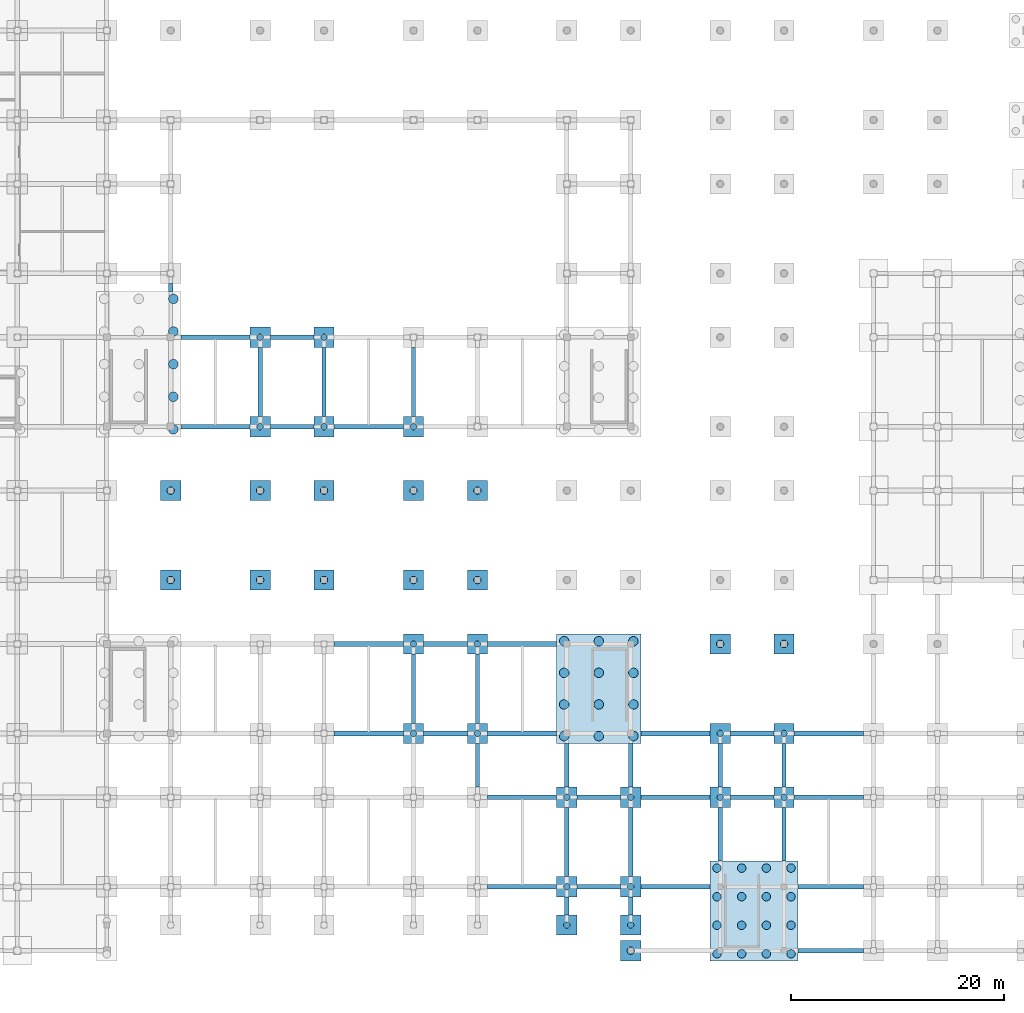
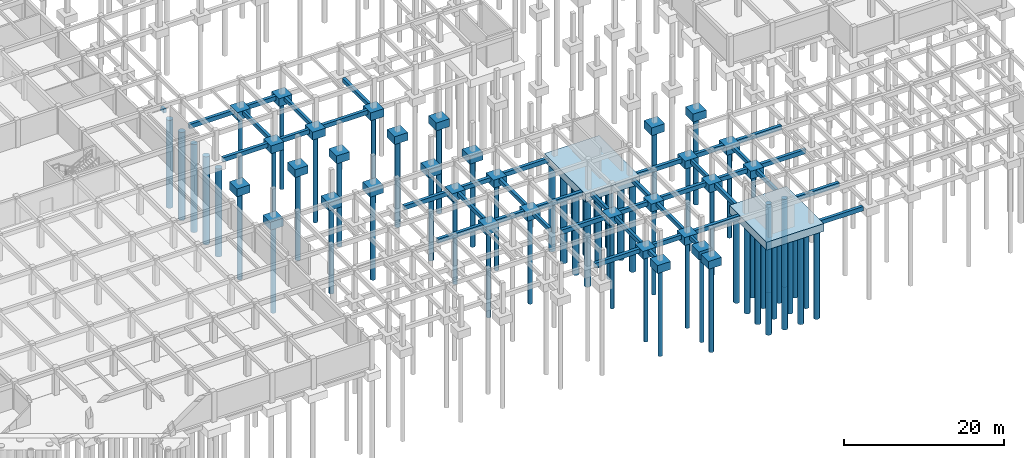
# One storey, part 5 of 40: 75 footings, 65 piles.
"""IFC4 building model written with IfcOpenShell, lengths in metres."""

from ifc_helpers import new_model, si_unit, direction, frame, origin, origin_2d, place, context, subcontext, project, spatial, rectangle, circle, extrude, material, material_profile, profile_set, type_object, element, save


model = new_model("IFC4")

# Units and contexts
model_context = context("Model", 3, precision=1e-05, world=origin(), true_north=direction((0.0, 1.0)))
body_context = subcontext(model_context, "Body", "Model", "MODEL_VIEW")
ifc_project = project(units=[si_unit("LENGTHUNIT", "METRE"), si_unit("AREAUNIT", "SQUARE_METRE"), si_unit("VOLUMEUNIT", "CUBIC_METRE"), si_unit("PLANEANGLEUNIT", "RADIAN"), si_unit("MASSUNIT", "GRAM", prefix="KILO"), si_unit("THERMODYNAMICTEMPERATUREUNIT", "KELVIN")], contexts=[model_context])

# Site, building, storey
site_placement = place(None, origin())
site = spatial("IfcSite", under=ifc_project, at=site_placement, CompositionType="ELEMENT")
building_placement = place(site_placement, origin())
building = spatial("IfcBuilding", under=site, at=building_placement, Name="Thalorik Housing Commons", CompositionType="ELEMENT")
storey_placement = place(building_placement, frame((0.0, 0.0, -4.199951171875)))
storey = spatial("IfcBuildingStorey", under=building, at=storey_placement, Name="B1", CompositionType="ELEMENT", Elevation=-4.199951171875)

# Footings
ifc_material = material(Name="Concrete C40/50", Category="concrete")
footing_type_1 = type_object("IfcFootingType", Name="STR-CAP-1900x1900", PredefinedType="PILE_CAP", material=ifc_material)
for number, where, z_axis, x_axis, name in (
    (1, (109.199951171875, 10.800048828125, -1.64990234375), (0.0, 0.0, 1.0), (1.0, 0.0, 0.0), "B1 Pile Cap 19"),
    (2, (115.199951171875, 10.800048828125, -1.64990234375), (0.0, 0.0, 1.0), (1.0, 0.0, 0.0), "B1 Pile Cap 20"),
    (3, (109.199951171875, 14.39990234375, -1.64990234375), (0.0, 0.0, 1.0), (1.0, 0.0, 0.0), "B1 Pile Cap 32"),
    (4, (115.199951171875, 14.39990234375, -1.64990234375), (0.0, 0.0, 1.0), (1.0, 0.0, 0.0), "B1 Pile Cap 33"),
    (5, (109.199951171875, 22.800048828125, -1.64990234375), (0.0, 0.0, 1.0), (1.0, 0.0, 0.0), "B1 Pile Cap 49"),
    (6, (115.199951171875, 22.800048828125, -1.64990234375), (0.0, 0.0, 1.0), (1.0, 0.0, 0.0), "B1 Pile Cap 50"),
    (7, (123.60009765625, 22.800048828125, -1.64990234375), (0.0, 0.0, 1.0), (1.0, 0.0, 0.0), "B1 Pile Cap 51"),
    (8, (129.60009765625, 22.800048828125, -1.64990234375), (0.0, 0.0, 1.0), (1.0, 0.0, 0.0), "B1 Pile Cap 52"),
    (9, (94.800048828125, 28.800048828125, -1.64990234375), (0.0, 0.0, 1.0), (1.0, 0.0, 0.0), "B1 Pile Cap 69"),
    (10, (100.800048828125, 28.800048828125, -1.64990234375), (0.0, 0.0, 1.0), (1.0, 0.0, 0.0), "B1 Pile Cap 70"),
    (11, (123.60009765625, 28.800048828125, -1.64990234375), (0.0, 0.0, 1.0), (1.0, 0.0, 0.0), "B1 Pile Cap 72"),
    (12, (129.60009765625, 28.800048828125, -1.64990234375), (0.0, 0.0, 1.0), (1.0, 0.0, 0.0), "B1 Pile Cap 73"),
    (13, (94.800048828125, 37.199951171875, -1.64990234375), (0.0, 0.0, 1.0), (1.0, 0.0, 0.0), "B1 Pile Cap 93"),
    (14, (100.800048828125, 37.199951171875, -1.64990234375), (0.0, 0.0, 1.0), (1.0, 0.0, 0.0), "B1 Pile Cap 94"),
    (15, (80.39990234375, 57.60009765625, -1.64990234375), (0.0, 0.0, 1.0), (1.0, 0.0, 0.0), "B1 Pile Cap 136"),
    (16, (86.39990234375, 57.60009765625, -1.64990234375), (0.0, 0.0, 1.0), (1.0, 0.0, 0.0), "B1 Pile Cap 137"),
    (17, (94.800048828125, 57.60009765625, -1.64990234375), (0.0, 0.0, 1.0), (1.0, 0.0, 0.0), "B1 Pile Cap 138"),
    (18, (80.39990234375, 66.0, -1.64990234375), (0.0, 0.0, 1.0), (1.0, 0.0, 0.0), "B1 Pile Cap 153"),
    (19, (86.39990234375, 66.0, -1.64990234375), (0.0, 0.0, 1.0), (1.0, 0.0, 0.0), "B1 Pile Cap 154"),
    (20, (72.0, 43.199951171875, -1.64990234375), (0.0, 0.0, 1.0), (1.0, 0.0, 0.0), "B1 Plaza Pile Cap 1"),
    (21, (72.0, 51.60009765625, -1.64990234375), (0.0, 0.0, 1.0), (1.0, 0.0, 0.0), "B1 Plaza Pile Cap 2"),
    (22, (80.39990234375, 43.199951171875, -1.64990234375), (0.0, 0.0, 1.0), (1.0, 0.0, 0.0), "B1 Plaza Pile Cap 8"),
    (23, (80.39990234375, 51.60009765625, -1.64990234375), (0.0, 0.0, 1.0), (1.0, 0.0, 0.0), "B1 Plaza Pile Cap 9"),
    (24, (86.39990234375, 43.199951171875, -1.64990234375), (0.0, 0.0, 1.0), (1.0, 0.0, 0.0), "B1 Plaza Pile Cap 12"),
    (25, (86.39990234375, 51.60009765625, -1.64990234375), (0.0, 0.0, 1.0), (1.0, 0.0, 0.0), "B1 Plaza Pile Cap 13"),
    (26, (94.800048828125, 43.199951171875, -1.64990234375), (0.0, 0.0, 1.0), (1.0, 0.0, 0.0), "B1 Plaza Pile Cap 16"),
    (27, (94.800048828125, 51.60009765625, -1.64990234375), (0.0, 0.0, 1.0), (1.0, 0.0, 0.0), "B1 Plaza Pile Cap 17"),
    (28, (100.800048828125, 43.199951171875, -1.64990234375), (0.0, 0.0, 1.0), (1.0, 0.0, 0.0), "B1 Plaza Pile Cap 20"),
    (29, (100.800048828125, 51.60009765625, -1.64990234375), (0.0, 0.0, 1.0), (1.0, 0.0, 0.0), "B1 Plaza Pile Cap 21"),
    (30, (115.199951171875, 8.39990234375, -1.64990234375), (0.0, 0.0, 1.0), (1.0, 0.0, 0.0), "B1 Plaza Pile Cap 28"),
    (31, (123.60009765625, 37.199951171875, -1.64990234375), (0.0, 0.0, 1.0), (1.0, 0.0, 0.0), "B1 Plaza Pile Cap 33"),
    (32, (129.60009765625, 37.199951171875, -1.64990234375), (0.0, 0.0, 1.0), (1.0, 0.0, 0.0), "B1 Plaza Pile Cap 43"),
):
    element("IfcFooting", number, at=place(storey_placement, frame(where, z_axis=z_axis, x_axis=x_axis)), inside=storey, type_object=footing_type_1, Name=name, PredefinedType="PILE_CAP", context=body_context, shape_type="SweptSolid", body=[
        extrude(rectangle(XDim=1.89990234375, YDim=1.89990234375, at=origin_2d()), origin(), (0.0, 0.0, 1.0), 1.199951171875),
    ])
footing_type_2 = type_object("IfcFootingType", Name="STR-CAP-7900x10300", PredefinedType="PILE_CAP", material=ifc_material)
footing_1_placement = place(storey_placement, frame((112.199951171875, 33.0, -1.64990234375), z_axis=(0.0, 0.0, 1.0), x_axis=(1.0, 0.0, 0.0)))
element("IfcFooting", 33, at=footing_1_placement, inside=storey, type_object=footing_type_2, Name="B1 Pile Cap 71", PredefinedType="PILE_CAP", context=body_context, shape_type="SweptSolid", body=[
    extrude(rectangle(XDim=7.89990234375, YDim=10.300048828125, at=origin_2d()), origin(), (0.0, 0.0, 1.0), 1.199951171875),
])
footing_type_3 = type_object("IfcFootingType", Name="STR-CAP-8250x9350", PredefinedType="PILE_CAP", material=ifc_material)
footing_2_placement = place(storey_placement, frame((126.77490234375, 12.125, -1.64990234375), z_axis=(0.0, 0.0, 1.0), x_axis=(1.0, 0.0, 0.0)))
element("IfcFooting", 34, at=footing_2_placement, inside=storey, type_object=footing_type_3, Name="B1 Pile Cap 8", PredefinedType="PILE_CAP", context=body_context, shape_type="SweptSolid", body=[
    extrude(rectangle(XDim=8.25, YDim=9.35009765625, at=origin_2d()), origin(), (0.0, 0.0, 1.0), 1.199951171875),
])
ifc_material_profile_1 = material_profile(ifc_material, rectangle(XDim=0.39990234375, YDim=0.60009765625, at=origin_2d()), Name="RC 400x600", Category="concrete")
ifc_profile_set_1 = profile_set([ifc_material_profile_1], Name="Concrete C40/50")
footing_type_4 = type_object("IfcFootingType", Name="STR-GB-400", PredefinedType="FOOTING_BEAM", material=ifc_profile_set_1)
footing_3_placement = place(storey_placement, frame((72.0, 70.300048828125, -0.75), z_axis=(0.0, 1.0, 0.0), x_axis=(-1.0, 0.0, 0.0)))
element("IfcFooting", 35, at=footing_3_placement, inside=storey, type_object=footing_type_4, Name="B1 Ground Tie-Beam Y 392", PredefinedType="FOOTING_BEAM", context=body_context, shape_type="SweptSolid", body=[
    extrude(rectangle(XDim=0.39990234375, YDim=0.60009765625, at=origin_2d()), origin(), (0.0, 0.0, 1.0), 0.75),
])
for number, where, z_axis, x_axis, name in (
    (36, (80.39990234375, 58.550048828125, -0.75), (0.0, 1.0, 0.0), (-1.0, 0.0, 0.0), "B1 Ground Tie-Beam Y 399"),
    (37, (86.39990234375, 58.550048828125, -0.75), (0.0, 1.0, 0.0), (-1.0, 0.0, 0.0), "B1 Ground Tie-Beam Y 406"),
    (38, (94.800048828125, 29.75, -0.75), (0.0, 1.0, 0.0), (-1.0, 0.0, 0.0), "B1 Ground Tie-Beam Y 412"),
    (39, (94.800048828125, 58.550048828125, -0.75), (0.0, 1.0, 0.0), (-1.0, 0.0, 0.0), "B1 Ground Tie-Beam Y 413"),
):
    element("IfcFooting", number, at=place(storey_placement, frame(where, z_axis=z_axis, x_axis=x_axis)), inside=storey, type_object=footing_type_4, Name=name, PredefinedType="FOOTING_BEAM", context=body_context, shape_type="SweptSolid", body=[
        extrude(rectangle(XDim=0.39990234375, YDim=0.60009765625, at=origin_2d()), origin(), (0.0, 0.0, 1.0), 6.5),
    ])
footing_4_placement = place(storey_placement, frame((100.800048828125, 23.75, -0.75), z_axis=(0.0, 1.0, 0.0), x_axis=(-1.0, 0.0, 0.0)))
element("IfcFooting", 40, at=footing_4_placement, inside=storey, type_object=footing_type_4, Name="B1 Ground Tie-Beam Y 418", PredefinedType="FOOTING_BEAM", context=body_context, shape_type="SweptSolid", body=[
    extrude(rectangle(XDim=0.39990234375, YDim=0.60009765625, at=origin_2d()), origin(), (0.0, 0.0, 1.0), 4.10009765625),
])
footing_5_placement = place(storey_placement, frame((100.800048828125, 29.75, -0.75), z_axis=(0.0, 1.0, 0.0), x_axis=(-1.0, 0.0, 0.0)))
element("IfcFooting", 41, at=footing_5_placement, inside=storey, type_object=footing_type_4, Name="B1 Ground Tie-Beam Y 419", PredefinedType="FOOTING_BEAM", context=body_context, shape_type="SweptSolid", body=[
    extrude(rectangle(XDim=0.39990234375, YDim=0.60009765625, at=origin_2d()), origin(), (0.0, 0.0, 1.0), 6.5),
])
footing_6_placement = place(storey_placement, frame((109.199951171875, 11.75, -0.75), z_axis=(0.0, 1.0, 0.0), x_axis=(-1.0, 0.0, 0.0)))
element("IfcFooting", 42, at=footing_6_placement, inside=storey, type_object=footing_type_4, Name="B1 Ground Tie-Beam Y 423", PredefinedType="FOOTING_BEAM", context=body_context, shape_type="SweptSolid", body=[
    extrude(rectangle(XDim=0.39990234375, YDim=0.60009765625, at=origin_2d()), origin(), (0.0, 0.0, 1.0), 1.699951171875),
])
footing_7_placement = place(storey_placement, frame((109.199951171875, 15.35009765625, -0.75), z_axis=(0.0, 1.0, 0.0), x_axis=(-1.0, 0.0, 0.0)))
element("IfcFooting", 43, at=footing_7_placement, inside=storey, type_object=footing_type_4, Name="B1 Ground Tie-Beam Y 424", PredefinedType="FOOTING_BEAM", context=body_context, shape_type="SweptSolid", body=[
    extrude(rectangle(XDim=0.39990234375, YDim=0.60009765625, at=origin_2d()), origin(), (0.0, 0.0, 1.0), 6.5),
])
footing_8_placement = place(storey_placement, frame((109.199951171875, 23.75, -0.75), z_axis=(0.0, 1.0, 0.0), x_axis=(-1.0, 0.0, 0.0)))
element("IfcFooting", 44, at=footing_8_placement, inside=storey, type_object=footing_type_4, Name="B1 Ground Tie-Beam Y 425", PredefinedType="FOOTING_BEAM", context=body_context, shape_type="SweptSolid", body=[
    extrude(rectangle(XDim=0.39990234375, YDim=0.60009765625, at=origin_2d()), origin(), (0.0, 0.0, 1.0), 4.10009765625),
])
footing_9_placement = place(storey_placement, frame((115.199951171875, 11.75, -0.75), z_axis=(0.0, 1.0, 0.0), x_axis=(-1.0, 0.0, 0.0)))
element("IfcFooting", 45, at=footing_9_placement, inside=storey, type_object=footing_type_4, Name="B1 Ground Tie-Beam Y 431", PredefinedType="FOOTING_BEAM", context=body_context, shape_type="SweptSolid", body=[
    extrude(rectangle(XDim=0.39990234375, YDim=0.60009765625, at=origin_2d()), origin(), (0.0, 0.0, 1.0), 1.699951171875),
])
footing_10_placement = place(storey_placement, frame((115.199951171875, 15.35009765625, -0.75), z_axis=(0.0, 1.0, 0.0), x_axis=(-1.0, 0.0, 0.0)))
element("IfcFooting", 46, at=footing_10_placement, inside=storey, type_object=footing_type_4, Name="B1 Ground Tie-Beam Y 432", PredefinedType="FOOTING_BEAM", context=body_context, shape_type="SweptSolid", body=[
    extrude(rectangle(XDim=0.39990234375, YDim=0.60009765625, at=origin_2d()), origin(), (0.0, 0.0, 1.0), 6.5),
])
footing_11_placement = place(storey_placement, frame((115.199951171875, 23.75, -0.75), z_axis=(0.0, 1.0, 0.0), x_axis=(-1.0, 0.0, 0.0)))
element("IfcFooting", 47, at=footing_11_placement, inside=storey, type_object=footing_type_4, Name="B1 Ground Tie-Beam Y 433", PredefinedType="FOOTING_BEAM", context=body_context, shape_type="SweptSolid", body=[
    extrude(rectangle(XDim=0.39990234375, YDim=0.60009765625, at=origin_2d()), origin(), (0.0, 0.0, 1.0), 4.10009765625),
])
footing_12_placement = place(storey_placement, frame((123.60009765625, 16.800048828125, -0.75), z_axis=(0.0, 1.0, 0.0), x_axis=(-1.0, 0.0, 0.0)))
element("IfcFooting", 48, at=footing_12_placement, inside=storey, type_object=footing_type_4, Name="B1 Ground Tie-Beam Y 439", PredefinedType="FOOTING_BEAM", context=body_context, shape_type="SweptSolid", body=[
    extrude(rectangle(XDim=0.39990234375, YDim=0.60009765625, at=origin_2d()), origin(), (0.0, 0.0, 1.0), 5.050048828125),
])
footing_13_placement = place(storey_placement, frame((123.60009765625, 23.75, -0.75), z_axis=(0.0, 1.0, 0.0), x_axis=(-1.0, 0.0, 0.0)))
element("IfcFooting", 49, at=footing_13_placement, inside=storey, type_object=footing_type_4, Name="B1 Ground Tie-Beam Y 440", PredefinedType="FOOTING_BEAM", context=body_context, shape_type="SweptSolid", body=[
    extrude(rectangle(XDim=0.39990234375, YDim=0.60009765625, at=origin_2d()), origin(), (0.0, 0.0, 1.0), 4.10009765625),
])
footing_14_placement = place(storey_placement, frame((129.60009765625, 16.800048828125, -0.75), z_axis=(0.0, 1.0, 0.0), x_axis=(-1.0, 0.0, 0.0)))
element("IfcFooting", 50, at=footing_14_placement, inside=storey, type_object=footing_type_4, Name="B1 Ground Tie-Beam Y 443", PredefinedType="FOOTING_BEAM", context=body_context, shape_type="SweptSolid", body=[
    extrude(rectangle(XDim=0.39990234375, YDim=0.60009765625, at=origin_2d()), origin(), (0.0, 0.0, 1.0), 5.050048828125),
])
footing_15_placement = place(storey_placement, frame((129.60009765625, 23.75, -0.75), z_axis=(0.0, 1.0, 0.0), x_axis=(-1.0, 0.0, 0.0)))
element("IfcFooting", 51, at=footing_15_placement, inside=storey, type_object=footing_type_4, Name="B1 Ground Tie-Beam Y 444", PredefinedType="FOOTING_BEAM", context=body_context, shape_type="SweptSolid", body=[
    extrude(rectangle(XDim=0.39990234375, YDim=0.60009765625, at=origin_2d()), origin(), (0.0, 0.0, 1.0), 4.10009765625),
])
ifc_material_profile_2 = material_profile(ifc_material, rectangle(XDim=0.449951171875, YDim=0.64990234375, at=origin_2d()), Name="RC 450x650", Category="concrete")
ifc_profile_set_2 = profile_set([ifc_material_profile_2], Name="Concrete C40/50")
footing_type_5 = type_object("IfcFootingType", Name="STR-GB-500", PredefinedType="FOOTING_BEAM", material=ifc_profile_set_2)
footing_16_placement = place(storey_placement, frame((130.89990234375, 8.39990234375, -0.775146484375), z_axis=(1.0, 0.0, 0.0), x_axis=(0.0, 1.0, 0.0)))
element("IfcFooting", 52, at=footing_16_placement, inside=storey, type_object=footing_type_5, Name="B1 Ground Tie-Beam X 7", PredefinedType="FOOTING_BEAM", context=body_context, shape_type="SweptSolid", body=[
    extrude(rectangle(XDim=0.449951171875, YDim=0.64990234375, at=origin_2d()), origin(), (0.0, 0.0, 1.0), 6.150146484375),
])
footing_17_placement = place(storey_placement, frame((101.75, 14.39990234375, -0.775146484375), z_axis=(1.0, 0.0, 0.0), x_axis=(0.0, 1.0, 0.0)))
element("IfcFooting", 53, at=footing_17_placement, inside=storey, type_object=footing_type_5, Name="B1 Ground Tie-Beam X 23", PredefinedType="FOOTING_BEAM", context=body_context, shape_type="SweptSolid", body=[
    extrude(rectangle(XDim=0.449951171875, YDim=0.64990234375, at=origin_2d()), origin(), (0.0, 0.0, 1.0), 6.5),
])
footing_18_placement = place(storey_placement, frame((110.14990234375, 14.39990234375, -0.775146484375), z_axis=(1.0, 0.0, 0.0), x_axis=(0.0, 1.0, 0.0)))
element("IfcFooting", 54, at=footing_18_placement, inside=storey, type_object=footing_type_5, Name="B1 Ground Tie-Beam X 24", PredefinedType="FOOTING_BEAM", context=body_context, shape_type="SweptSolid", body=[
    extrude(rectangle(XDim=0.449951171875, YDim=0.64990234375, at=origin_2d()), origin(), (0.0, 0.0, 1.0), 4.10009765625),
])
footing_19_placement = place(storey_placement, frame((116.14990234375, 14.39990234375, -0.775146484375), z_axis=(1.0, 0.0, 0.0), x_axis=(0.0, 1.0, 0.0)))
element("IfcFooting", 55, at=footing_19_placement, inside=storey, type_object=footing_type_5, Name="B1 Ground Tie-Beam X 25", PredefinedType="FOOTING_BEAM", context=body_context, shape_type="SweptSolid", body=[
    extrude(rectangle(XDim=0.449951171875, YDim=0.64990234375, at=origin_2d()), origin(), (0.0, 0.0, 1.0), 6.5),
])
footing_20_placement = place(storey_placement, frame((130.89990234375, 14.39990234375, -0.775146484375), z_axis=(1.0, 0.0, 0.0), x_axis=(0.0, 1.0, 0.0)))
element("IfcFooting", 56, at=footing_20_placement, inside=storey, type_object=footing_type_5, Name="B1 Ground Tie-Beam X 26", PredefinedType="FOOTING_BEAM", context=body_context, shape_type="SweptSolid", body=[
    extrude(rectangle(XDim=0.449951171875, YDim=0.64990234375, at=origin_2d()), origin(), (0.0, 0.0, 1.0), 6.150146484375),
])
footing_21_placement = place(storey_placement, frame((101.75, 22.800048828125, -0.775146484375), z_axis=(1.0, 0.0, 0.0), x_axis=(0.0, 1.0, 0.0)))
element("IfcFooting", 57, at=footing_21_placement, inside=storey, type_object=footing_type_5, Name="B1 Ground Tie-Beam X 42", PredefinedType="FOOTING_BEAM", context=body_context, shape_type="SweptSolid", body=[
    extrude(rectangle(XDim=0.449951171875, YDim=0.64990234375, at=origin_2d()), origin(), (0.0, 0.0, 1.0), 6.5),
])
footing_22_placement = place(storey_placement, frame((110.14990234375, 22.800048828125, -0.775146484375), z_axis=(1.0, 0.0, 0.0), x_axis=(0.0, 1.0, 0.0)))
element("IfcFooting", 58, at=footing_22_placement, inside=storey, type_object=footing_type_5, Name="B1 Ground Tie-Beam X 43", PredefinedType="FOOTING_BEAM", context=body_context, shape_type="SweptSolid", body=[
    extrude(rectangle(XDim=0.449951171875, YDim=0.64990234375, at=origin_2d()), origin(), (0.0, 0.0, 1.0), 4.10009765625),
])
footing_23_placement = place(storey_placement, frame((116.14990234375, 22.800048828125, -0.775146484375), z_axis=(1.0, 0.0, 0.0), x_axis=(0.0, 1.0, 0.0)))
element("IfcFooting", 59, at=footing_23_placement, inside=storey, type_object=footing_type_5, Name="B1 Ground Tie-Beam X 44", PredefinedType="FOOTING_BEAM", context=body_context, shape_type="SweptSolid", body=[
    extrude(rectangle(XDim=0.449951171875, YDim=0.64990234375, at=origin_2d()), origin(), (0.0, 0.0, 1.0), 6.5),
])
footing_24_placement = place(storey_placement, frame((124.550048828125, 22.800048828125, -0.775146484375), z_axis=(1.0, 0.0, 0.0), x_axis=(0.0, 1.0, 0.0)))
element("IfcFooting", 60, at=footing_24_placement, inside=storey, type_object=footing_type_5, Name="B1 Ground Tie-Beam X 45", PredefinedType="FOOTING_BEAM", context=body_context, shape_type="SweptSolid", body=[
    extrude(rectangle(XDim=0.449951171875, YDim=0.64990234375, at=origin_2d()), origin(), (0.0, 0.0, 1.0), 4.099853515625),
])
for number, where, z_axis, x_axis, name in (
    (61, (130.550048828125, 22.800048828125, -0.775146484375), (1.0, 0.0, 0.0), (0.0, 1.0, 0.0), "B1 Ground Tie-Beam X 46"),
    (62, (87.35009765625, 28.800048828125, -0.775146484375), (1.0, 0.0, 0.0), (0.0, 1.0, 0.0), "B1 Ground Tie-Beam X 61"),
):
    element("IfcFooting", number, at=place(storey_placement, frame(where, z_axis=z_axis, x_axis=x_axis)), inside=storey, type_object=footing_type_5, Name=name, PredefinedType="FOOTING_BEAM", context=body_context, shape_type="SweptSolid", body=[
        extrude(rectangle(XDim=0.449951171875, YDim=0.64990234375, at=origin_2d()), origin(), (0.0, 0.0, 1.0), 6.5),
    ])
footing_25_placement = place(storey_placement, frame((95.75, 28.800048828125, -0.775146484375), z_axis=(1.0, 0.0, 0.0), x_axis=(0.0, 1.0, 0.0)))
element("IfcFooting", 63, at=footing_25_placement, inside=storey, type_object=footing_type_5, Name="B1 Ground Tie-Beam X 62", PredefinedType="FOOTING_BEAM", context=body_context, shape_type="SweptSolid", body=[
    extrude(rectangle(XDim=0.449951171875, YDim=0.64990234375, at=origin_2d()), origin(), (0.0, 0.0, 1.0), 4.10009765625),
])
for number, where, z_axis, x_axis, name in (
    (64, (101.75, 28.800048828125, -0.775146484375), (1.0, 0.0, 0.0), (0.0, 1.0, 0.0), "B1 Ground Tie-Beam X 63"),
    (65, (116.14990234375, 28.800048828125, -0.775146484375), (1.0, 0.0, 0.0), (0.0, 1.0, 0.0), "B1 Ground Tie-Beam X 64"),
):
    element("IfcFooting", number, at=place(storey_placement, frame(where, z_axis=z_axis, x_axis=x_axis)), inside=storey, type_object=footing_type_5, Name=name, PredefinedType="FOOTING_BEAM", context=body_context, shape_type="SweptSolid", body=[
        extrude(rectangle(XDim=0.449951171875, YDim=0.64990234375, at=origin_2d()), origin(), (0.0, 0.0, 1.0), 6.5),
    ])
footing_26_placement = place(storey_placement, frame((124.550048828125, 28.800048828125, -0.775146484375), z_axis=(1.0, 0.0, 0.0), x_axis=(0.0, 1.0, 0.0)))
element("IfcFooting", 66, at=footing_26_placement, inside=storey, type_object=footing_type_5, Name="B1 Ground Tie-Beam X 65", PredefinedType="FOOTING_BEAM", context=body_context, shape_type="SweptSolid", body=[
    extrude(rectangle(XDim=0.449951171875, YDim=0.64990234375, at=origin_2d()), origin(), (0.0, 0.0, 1.0), 4.099853515625),
])
for number, where, z_axis, x_axis, name in (
    (67, (130.550048828125, 28.800048828125, -0.775146484375), (1.0, 0.0, 0.0), (0.0, 1.0, 0.0), "B1 Ground Tie-Beam X 66"),
    (68, (87.35009765625, 37.199951171875, -0.775146484375), (1.0, 0.0, 0.0), (0.0, 1.0, 0.0), "B1 Ground Tie-Beam X 81"),
):
    element("IfcFooting", number, at=place(storey_placement, frame(where, z_axis=z_axis, x_axis=x_axis)), inside=storey, type_object=footing_type_5, Name=name, PredefinedType="FOOTING_BEAM", context=body_context, shape_type="SweptSolid", body=[
        extrude(rectangle(XDim=0.449951171875, YDim=0.64990234375, at=origin_2d()), origin(), (0.0, 0.0, 1.0), 6.5),
    ])
footing_27_placement = place(storey_placement, frame((95.75, 37.199951171875, -0.775146484375), z_axis=(1.0, 0.0, 0.0), x_axis=(0.0, 1.0, 0.0)))
element("IfcFooting", 69, at=footing_27_placement, inside=storey, type_object=footing_type_5, Name="B1 Ground Tie-Beam X 82", PredefinedType="FOOTING_BEAM", context=body_context, shape_type="SweptSolid", body=[
    extrude(rectangle(XDim=0.449951171875, YDim=0.64990234375, at=origin_2d()), origin(), (0.0, 0.0, 1.0), 4.10009765625),
])
for number, where, z_axis, x_axis, name in (
    (70, (101.75, 37.199951171875, -0.775146484375), (1.0, 0.0, 0.0), (0.0, 1.0, 0.0), "B1 Ground Tie-Beam X 83"),
    (71, (72.949951171875, 57.60009765625, -0.775146484375), (1.0, 0.0, 0.0), (0.0, 1.0, 0.0), "B1 Ground Tie-Beam X 119"),
):
    element("IfcFooting", number, at=place(storey_placement, frame(where, z_axis=z_axis, x_axis=x_axis)), inside=storey, type_object=footing_type_5, Name=name, PredefinedType="FOOTING_BEAM", context=body_context, shape_type="SweptSolid", body=[
        extrude(rectangle(XDim=0.449951171875, YDim=0.64990234375, at=origin_2d()), origin(), (0.0, 0.0, 1.0), 6.5),
    ])
footing_28_placement = place(storey_placement, frame((81.35009765625, 57.60009765625, -0.775146484375), z_axis=(1.0, 0.0, 0.0), x_axis=(0.0, 1.0, 0.0)))
element("IfcFooting", 72, at=footing_28_placement, inside=storey, type_object=footing_type_5, Name="B1 Ground Tie-Beam X 120", PredefinedType="FOOTING_BEAM", context=body_context, shape_type="SweptSolid", body=[
    extrude(rectangle(XDim=0.449951171875, YDim=0.64990234375, at=origin_2d()), origin(), (0.0, 0.0, 1.0), 4.099853515625),
])
for number, where, z_axis, x_axis, name in (
    (73, (87.35009765625, 57.60009765625, -0.775146484375), (1.0, 0.0, 0.0), (0.0, 1.0, 0.0), "B1 Ground Tie-Beam X 121"),
    (74, (72.949951171875, 66.0, -0.775146484375), (1.0, 0.0, 0.0), (0.0, 1.0, 0.0), "B1 Ground Tie-Beam X 135"),
):
    element("IfcFooting", number, at=place(storey_placement, frame(where, z_axis=z_axis, x_axis=x_axis)), inside=storey, type_object=footing_type_5, Name=name, PredefinedType="FOOTING_BEAM", context=body_context, shape_type="SweptSolid", body=[
        extrude(rectangle(XDim=0.449951171875, YDim=0.64990234375, at=origin_2d()), origin(), (0.0, 0.0, 1.0), 6.5),
    ])
footing_29_placement = place(storey_placement, frame((81.35009765625, 66.0, -0.775146484375), z_axis=(1.0, 0.0, 0.0), x_axis=(0.0, 1.0, 0.0)))
element("IfcFooting", 75, at=footing_29_placement, inside=storey, type_object=footing_type_5, Name="B1 Ground Tie-Beam X 136", PredefinedType="FOOTING_BEAM", context=body_context, shape_type="SweptSolid", body=[
    extrude(rectangle(XDim=0.449951171875, YDim=0.64990234375, at=origin_2d()), origin(), (0.0, 0.0, 1.0), 4.099853515625),
])

# Piles
ifc_material_profile_3 = material_profile(ifc_material, circle(Radius=0.300048828125, at=origin_2d()), Name="BORED PILE D600", Category="concrete")
ifc_profile_set_3 = profile_set([ifc_material_profile_3], Name="Concrete C40/50")
pile_type_1 = type_object("IfcPileType", Name="STR-PILE-D600", PredefinedType="BORED", material=ifc_profile_set_3)
for number, where, z_axis, x_axis, name in (
    (76, (109.199951171875, 10.800048828125, -1.550048828125), (0.0, 0.0, -1.0), (1.0, 0.0, 0.0), "B1 Bored Pile 95"),
    (77, (115.199951171875, 10.800048828125, -1.550048828125), (0.0, 0.0, -1.0), (1.0, 0.0, 0.0), "B1 Bored Pile 96"),
    (78, (109.199951171875, 14.39990234375, -1.550048828125), (0.0, 0.0, -1.0), (1.0, 0.0, 0.0), "B1 Bored Pile 117"),
    (79, (115.199951171875, 14.39990234375, -1.550048828125), (0.0, 0.0, -1.0), (1.0, 0.0, 0.0), "B1 Bored Pile 118"),
    (80, (109.199951171875, 22.800048828125, -1.550048828125), (0.0, 0.0, -1.0), (1.0, 0.0, 0.0), "B1 Bored Pile 143"),
    (81, (115.199951171875, 22.800048828125, -1.550048828125), (0.0, 0.0, -1.0), (1.0, 0.0, 0.0), "B1 Bored Pile 144"),
    (82, (123.60009765625, 22.800048828125, -1.550048828125), (0.0, 0.0, -1.0), (1.0, 0.0, 0.0), "B1 Bored Pile 145"),
    (83, (129.60009765625, 22.800048828125, -1.550048828125), (0.0, 0.0, -1.0), (1.0, 0.0, 0.0), "B1 Bored Pile 146"),
    (84, (94.800048828125, 28.800048828125, -1.550048828125), (0.0, 0.0, -1.0), (1.0, 0.0, 0.0), "B1 Bored Pile 183"),
    (85, (100.800048828125, 28.800048828125, -1.550048828125), (0.0, 0.0, -1.0), (1.0, 0.0, 0.0), "B1 Bored Pile 184"),
    (86, (123.60009765625, 28.800048828125, -1.550048828125), (0.0, 0.0, -1.0), (1.0, 0.0, 0.0), "B1 Bored Pile 197"),
    (87, (129.60009765625, 28.800048828125, -1.550048828125), (0.0, 0.0, -1.0), (1.0, 0.0, 0.0), "B1 Bored Pile 198"),
    (88, (94.800048828125, 37.199951171875, -1.550048828125), (0.0, 0.0, -1.0), (1.0, 0.0, 0.0), "B1 Bored Pile 227"),
    (89, (100.800048828125, 37.199951171875, -1.550048828125), (0.0, 0.0, -1.0), (1.0, 0.0, 0.0), "B1 Bored Pile 228"),
    (90, (80.39990234375, 57.60009765625, -1.550048828125), (0.0, 0.0, -1.0), (1.0, 0.0, 0.0), "B1 Bored Pile 340"),
    (91, (86.39990234375, 57.60009765625, -1.550048828125), (0.0, 0.0, -1.0), (1.0, 0.0, 0.0), "B1 Bored Pile 341"),
    (92, (94.800048828125, 57.60009765625, -1.550048828125), (0.0, 0.0, -1.0), (1.0, 0.0, 0.0), "B1 Bored Pile 342"),
    (93, (80.39990234375, 66.0, -1.550048828125), (0.0, 0.0, -1.0), (1.0, 0.0, 0.0), "B1 Bored Pile 390"),
    (94, (86.39990234375, 66.0, -1.550048828125), (0.0, 0.0, -1.0), (1.0, 0.0, 0.0), "B1 Bored Pile 391"),
):
    element("IfcPile", number, at=place(storey_placement, frame(where, z_axis=z_axis, x_axis=x_axis)), inside=storey, type_object=pile_type_1, Name=name, PredefinedType="BORED", context=body_context, shape_type="SweptSolid", body=[
        extrude(circle(Radius=0.300048828125, at=origin_2d()), origin(), (0.0, 0.0, 1.0), 13.449951171875),
    ])
ifc_material_profile_4 = material_profile(ifc_material, circle(Radius=0.35009765625, at=origin_2d()), Name="BORED PILE D700", Category="concrete")
ifc_profile_set_4 = profile_set([ifc_material_profile_4], Name="Concrete C40/50")
pile_type_2 = type_object("IfcPileType", Name="STR-PILE-D700", PredefinedType="BORED", material=ifc_profile_set_4)
for number, where, z_axis, x_axis, name in (
    (95, (72.0, 43.199951171875, -1.550048828125), (0.0, 0.0, -1.0), (1.0, 0.0, 0.0), "B1 Plaza Bored Pile 1"),
    (96, (72.0, 51.60009765625, -1.550048828125), (0.0, 0.0, -1.0), (1.0, 0.0, 0.0), "B1 Plaza Bored Pile 2"),
    (97, (80.39990234375, 43.199951171875, -1.550048828125), (0.0, 0.0, -1.0), (1.0, 0.0, 0.0), "B1 Plaza Bored Pile 8"),
    (98, (80.39990234375, 51.60009765625, -1.550048828125), (0.0, 0.0, -1.0), (1.0, 0.0, 0.0), "B1 Plaza Bored Pile 9"),
    (99, (86.39990234375, 43.199951171875, -1.550048828125), (0.0, 0.0, -1.0), (1.0, 0.0, 0.0), "B1 Plaza Bored Pile 12"),
    (100, (86.39990234375, 51.60009765625, -1.550048828125), (0.0, 0.0, -1.0), (1.0, 0.0, 0.0), "B1 Plaza Bored Pile 13"),
    (101, (94.800048828125, 43.199951171875, -1.550048828125), (0.0, 0.0, -1.0), (1.0, 0.0, 0.0), "B1 Plaza Bored Pile 16"),
    (102, (94.800048828125, 51.60009765625, -1.550048828125), (0.0, 0.0, -1.0), (1.0, 0.0, 0.0), "B1 Plaza Bored Pile 17"),
    (103, (100.800048828125, 43.199951171875, -1.550048828125), (0.0, 0.0, -1.0), (1.0, 0.0, 0.0), "B1 Plaza Bored Pile 20"),
    (104, (100.800048828125, 51.60009765625, -1.550048828125), (0.0, 0.0, -1.0), (1.0, 0.0, 0.0), "B1 Plaza Bored Pile 21"),
    (105, (115.199951171875, 8.39990234375, -1.550048828125), (0.0, 0.0, -1.0), (1.0, 0.0, 0.0), "B1 Plaza Bored Pile 28"),
    (106, (123.60009765625, 37.199951171875, -1.550048828125), (0.0, 0.0, -1.0), (1.0, 0.0, 0.0), "B1 Plaza Bored Pile 33"),
    (107, (129.60009765625, 37.199951171875, -1.550048828125), (0.0, 0.0, -1.0), (1.0, 0.0, 0.0), "B1 Plaza Bored Pile 43"),
):
    element("IfcPile", number, at=place(storey_placement, frame(where, z_axis=z_axis, x_axis=x_axis)), inside=storey, type_object=pile_type_2, Name=name, PredefinedType="BORED", context=body_context, shape_type="SweptSolid", body=[
        extrude(circle(Radius=0.35009765625, at=origin_2d()), origin(), (0.0, 0.0, 1.0), 13.449951171875),
    ])
ifc_material_profile_5 = material_profile(ifc_material, circle(Radius=0.39990234375, at=origin_2d()), Name="BORED PILE D800", Category="concrete")
ifc_profile_set_5 = profile_set([ifc_material_profile_5], Name="Concrete C40/50")
pile_type_3 = type_object("IfcPileType", Name="STR-PILE-D800", PredefinedType="BORED", material=ifc_profile_set_5)
for number, where, z_axis, x_axis, name in (
    (108, (123.300048828125, 8.10009765625, -1.550048828125), (0.0, 0.0, -1.0), (1.0, 0.0, 0.0), "B1 Bored Pile 62"),
    (109, (123.300048828125, 10.783203125, -1.550048828125), (0.0, 0.0, -1.0), (1.0, 0.0, 0.0), "B1 Bored Pile 63"),
    (110, (123.300048828125, 13.466796875, -1.550048828125), (0.0, 0.0, -1.0), (1.0, 0.0, 0.0), "B1 Bored Pile 64"),
    (111, (123.300048828125, 16.14990234375, -1.550048828125), (0.0, 0.0, -1.0), (1.0, 0.0, 0.0), "B1 Bored Pile 65"),
    (112, (125.61669921875, 8.10009765625, -1.550048828125), (0.0, 0.0, -1.0), (1.0, 0.0, 0.0), "B1 Bored Pile 66"),
    (113, (125.61669921875, 10.783203125, -1.550048828125), (0.0, 0.0, -1.0), (1.0, 0.0, 0.0), "B1 Bored Pile 67"),
    (114, (125.61669921875, 13.466796875, -1.550048828125), (0.0, 0.0, -1.0), (1.0, 0.0, 0.0), "B1 Bored Pile 68"),
    (115, (125.61669921875, 16.14990234375, -1.550048828125), (0.0, 0.0, -1.0), (1.0, 0.0, 0.0), "B1 Bored Pile 69"),
    (116, (127.933349609375, 8.10009765625, -1.550048828125), (0.0, 0.0, -1.0), (1.0, 0.0, 0.0), "B1 Bored Pile 70"),
    (117, (127.933349609375, 10.783203125, -1.550048828125), (0.0, 0.0, -1.0), (1.0, 0.0, 0.0), "B1 Bored Pile 71"),
    (118, (127.933349609375, 13.466796875, -1.550048828125), (0.0, 0.0, -1.0), (1.0, 0.0, 0.0), "B1 Bored Pile 72"),
    (119, (127.933349609375, 16.14990234375, -1.550048828125), (0.0, 0.0, -1.0), (1.0, 0.0, 0.0), "B1 Bored Pile 73"),
    (120, (130.25, 8.10009765625, -1.550048828125), (0.0, 0.0, -1.0), (1.0, 0.0, 0.0), "B1 Bored Pile 74"),
    (121, (130.25, 10.783203125, -1.550048828125), (0.0, 0.0, -1.0), (1.0, 0.0, 0.0), "B1 Bored Pile 75"),
    (122, (130.25, 13.466796875, -1.550048828125), (0.0, 0.0, -1.0), (1.0, 0.0, 0.0), "B1 Bored Pile 76"),
    (123, (130.25, 16.14990234375, -1.550048828125), (0.0, 0.0, -1.0), (1.0, 0.0, 0.0), "B1 Bored Pile 77"),
):
    element("IfcPile", number, at=place(storey_placement, frame(where, z_axis=z_axis, x_axis=x_axis)), inside=storey, type_object=pile_type_3, Name=name, PredefinedType="BORED", context=body_context, shape_type="SweptSolid", body=[
        extrude(circle(Radius=0.39990234375, at=origin_2d()), origin(), (0.0, 0.0, 1.0), 13.449951171875),
    ])
ifc_material_profile_6 = material_profile(ifc_material, circle(Radius=0.449951171875, at=origin_2d()), Name="BORED PILE D900", Category="concrete")
ifc_profile_set_6 = profile_set([ifc_material_profile_6], Name="Concrete C40/50")
pile_type_4 = type_object("IfcPileType", Name="STR-PILE-D900", PredefinedType="BORED", material=ifc_profile_set_6)
for number, where, z_axis, x_axis, name in (
    (124, (108.949951171875, 28.550048828125, -1.550048828125), (0.0, 0.0, -1.0), (1.0, 0.0, 0.0), "B1 Bored Pile 185"),
    (125, (108.949951171875, 31.5166015625, -1.550048828125), (0.0, 0.0, -1.0), (1.0, 0.0, 0.0), "B1 Bored Pile 186"),
    (126, (108.949951171875, 34.4833984375, -1.550048828125), (0.0, 0.0, -1.0), (1.0, 0.0, 0.0), "B1 Bored Pile 187"),
    (127, (108.949951171875, 37.449951171875, -1.550048828125), (0.0, 0.0, -1.0), (1.0, 0.0, 0.0), "B1 Bored Pile 188"),
    (128, (112.199951171875, 28.550048828125, -1.550048828125), (0.0, 0.0, -1.0), (1.0, 0.0, 0.0), "B1 Bored Pile 189"),
    (129, (112.199951171875, 31.5166015625, -1.550048828125), (0.0, 0.0, -1.0), (1.0, 0.0, 0.0), "B1 Bored Pile 190"),
    (130, (112.199951171875, 34.4833984375, -1.550048828125), (0.0, 0.0, -1.0), (1.0, 0.0, 0.0), "B1 Bored Pile 191"),
    (131, (112.199951171875, 37.449951171875, -1.550048828125), (0.0, 0.0, -1.0), (1.0, 0.0, 0.0), "B1 Bored Pile 192"),
    (132, (115.449951171875, 28.550048828125, -1.550048828125), (0.0, 0.0, -1.0), (1.0, 0.0, 0.0), "B1 Bored Pile 193"),
    (133, (115.449951171875, 31.5166015625, -1.550048828125), (0.0, 0.0, -1.0), (1.0, 0.0, 0.0), "B1 Bored Pile 194"),
    (134, (115.449951171875, 34.4833984375, -1.550048828125), (0.0, 0.0, -1.0), (1.0, 0.0, 0.0), "B1 Bored Pile 195"),
    (135, (115.449951171875, 37.449951171875, -1.550048828125), (0.0, 0.0, -1.0), (1.0, 0.0, 0.0), "B1 Bored Pile 196"),
    (136, (72.25, 57.35009765625, -1.550048828125), (0.0, 0.0, -1.0), (1.0, 0.0, 0.0), "B1 Bored Pile 335"),
    (137, (72.25, 60.41259765625, -1.550048828125), (0.0, 0.0, -1.0), (1.0, 0.0, 0.0), "B1 Bored Pile 336"),
    (138, (72.25, 63.47509765625, -1.550048828125), (0.0, 0.0, -1.0), (1.0, 0.0, 0.0), "B1 Bored Pile 337"),
    (139, (72.25, 66.53759765625, -1.550048828125), (0.0, 0.0, -1.0), (1.0, 0.0, 0.0), "B1 Bored Pile 338"),
    (140, (72.25, 69.60009765625, -1.550048828125), (0.0, 0.0, -1.0), (1.0, 0.0, 0.0), "B1 Bored Pile 339"),
):
    element("IfcPile", number, at=place(storey_placement, frame(where, z_axis=z_axis, x_axis=x_axis)), inside=storey, type_object=pile_type_4, Name=name, PredefinedType="BORED", context=body_context, shape_type="SweptSolid", body=[
        extrude(circle(Radius=0.449951171875, at=origin_2d()), origin(), (0.0, 0.0, 1.0), 13.449951171875),
    ])

save(model, "model.ifc")
